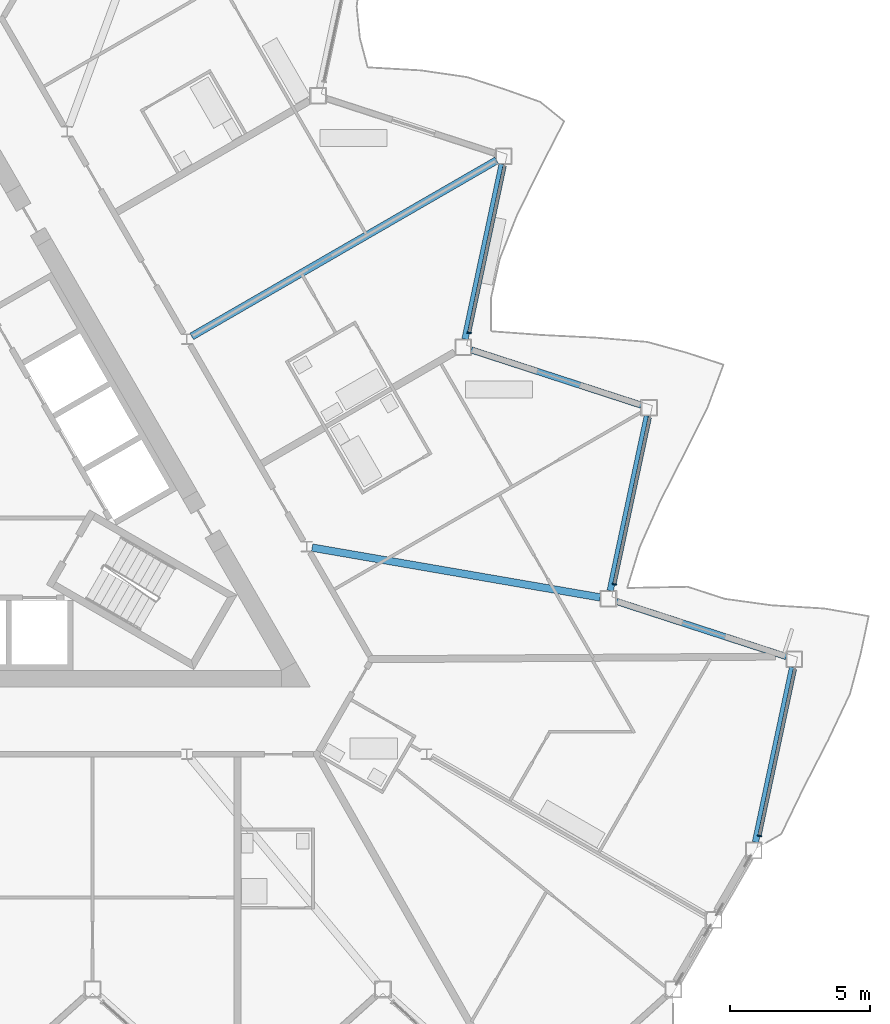
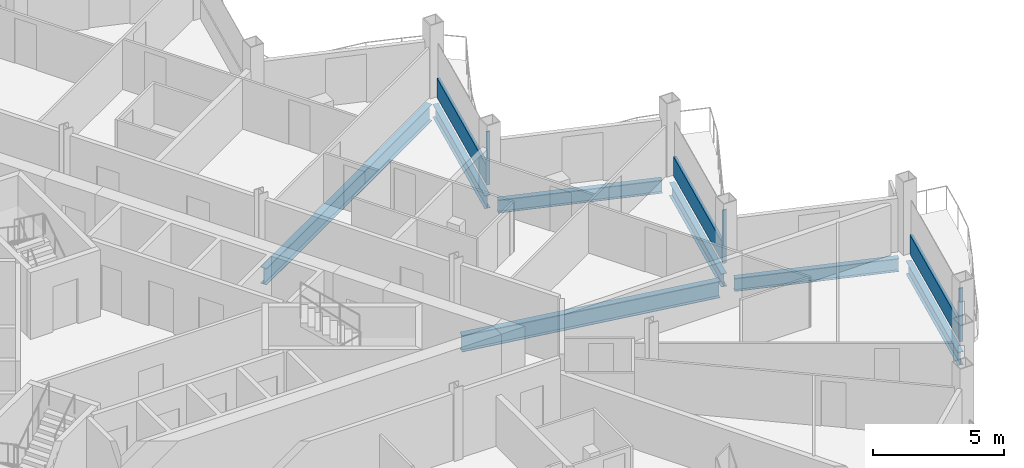
# One storey, part 8 of 26: 7 beams, 6 members, 3 elements without a shape of their own.
"""IFC4 building model written with IfcOpenShell, lengths in metres."""

from ifc_helpers import new_model, si_unit, direction, frame, origin, origin_2d, place, context, subcontext, project, spatial, rectangle, i_section, extrude, material, layer, layer_set, material_profile, profile_set, type_object, element, aggregate, save


model = new_model("IFC4")

# Units and contexts
model_context = context("Model", 3, precision=1e-05, world=origin(), true_north=direction((0.0, 1.0)))
body_context = subcontext(model_context, "Body", "Model", "MODEL_VIEW")
ifc_project = project(units=[si_unit("LENGTHUNIT", "METRE"), si_unit("AREAUNIT", "SQUARE_METRE"), si_unit("VOLUMEUNIT", "CUBIC_METRE"), si_unit("PLANEANGLEUNIT", "RADIAN"), si_unit("MASSUNIT", "GRAM", prefix="KILO")], contexts=[model_context])

# Site, building, storey
site_placement = place(None, origin())
site = spatial("IfcSite", under=ifc_project, at=site_placement, CompositionType="ELEMENT")
building_placement = place(site_placement, origin())
building = spatial("IfcBuilding", under=site, at=building_placement, Name="Cormorant Prow Tower", CompositionType="ELEMENT")
storey_placement = place(building_placement, frame((0.0, 0.0, 339.199951171875)))
storey = spatial("IfcBuildingStorey", under=building, at=storey_placement, Name="L76", CompositionType="ELEMENT", Elevation=339.199951171875)

# Beams
ifc_material_1 = material(Name="Structural steel ASTM A992 Gr 50", Category="steel")
ifc_material_profile_1 = material_profile(ifc_material_1, i_section(OverallWidth=0.267822265625, OverallDepth=0.77001953125, WebThickness=0.015625, FlangeThickness=0.025390625, at=origin_2d()), Name="W30x132")
ifc_profile_set_1 = profile_set([ifc_material_profile_1], Name="Structural steel ASTM A992 Gr 50")
beam_type_1 = type_object("IfcBeamType", Name="Radial floor beam W30x132", PredefinedType="BEAM", material=ifc_profile_set_1)
beam_1_placement = place(storey_placement, frame((13.0625, -2.510009765625, -0.684814453125), z_axis=(0.985379592304, -0.170373293304, 0.0), x_axis=(0.170373293304, 0.985379592304, 0.0)))
element("IfcBeam", 1, at=beam_1_placement, inside=storey, type_object=beam_type_1, Name="Radial floor beam FB3 10 L76", PredefinedType="BEAM", context=body_context, shape_type="SweptSolid", body=[
    extrude(i_section(OverallWidth=0.267822265625, OverallDepth=0.77001953125, WebThickness=0.015625, FlangeThickness=0.025390625, at=origin_2d()), origin(), (0.0, 0.0, 1.0), 10.465087890625),
])
beam_2_placement = place(storey_placement, frame((8.749755859375, 5.051513671875, -0.684814453125), z_axis=(0.866021086443, 0.50000747778, 0.0), x_axis=(-0.50000747778, 0.866021086443, 0.0)))
element("IfcBeam", 2, at=beam_2_placement, inside=storey, type_object=beam_type_1, Name="Radial floor beam FB3 11 L76", PredefinedType="BEAM", context=body_context, shape_type="SweptSolid", body=[
    extrude(i_section(OverallWidth=0.267822265625, OverallDepth=0.77001953125, WebThickness=0.015625, FlangeThickness=0.025390625, at=origin_2d()), origin(), (0.0, 0.0, 1.0), 12.604736328125),
])

# Curtain wall, member
ifc_material_2 = material(Name="Aluminium 6063-T6", Category="aluminium")
ifc_layer = layer(ifc_material_2, 0.159912109375)
ifc_layer_set = layer_set([ifc_layer], Name="Aluminium 6063-T6")
curtain_wall_type = type_object("IfcCurtainWallType", Name="Residential unitised curtain wall 160", PredefinedType="NOTDEFINED", material=ifc_layer_set)
curtain_wall_1_placement = place(storey_placement, origin())
curtain_wall_1 = element("IfcCurtainWall", 3, at=curtain_wall_1_placement, inside=storey, type_object=curtain_wall_type, Name="Residential curtain wall ENE00", PredefinedType="NOTDEFINED")
ifc_material_3 = material(Name="Aluminium 6063-T6", Category="aluminium")
ifc_material_profile_2 = material_profile(ifc_material_3, rectangle(XDim=0.159912109375, YDim=0.050048828125, at=origin_2d()), Name="Residential mullion 50x160")
ifc_profile_set_2 = profile_set([ifc_material_profile_2], Name="Aluminium 6063-T6")
member_type_1 = type_object("IfcMemberType", Name="Residential mullion 50x160", PredefinedType="MULLION", material=ifc_profile_set_2)
member_1_placement = place(storey_placement, frame((29.080810546875, -12.82421875, 0.0), z_axis=(0.0, 0.0, 1.0), x_axis=(-0.978147596612, 0.207911710211, 0.0)))
member_1 = element("IfcMember", 4, at=member_1_placement, type_object=member_type_1, Name="Residential mullion ENE00", PredefinedType="MULLION", context=body_context, shape_type="SweptSolid", body=[
    extrude(rectangle(XDim=0.159912109375, YDim=0.050048828125, at=origin_2d()), origin(), (0.0, 0.0, 1.0), 2.488037109375),
])

curtain_wall_2_placement = place(storey_placement, origin())
curtain_wall_2 = element("IfcCurtainWall", 5, at=curtain_wall_2_placement, inside=storey, type_object=curtain_wall_type, Name="Residential curtain wall ENE02", PredefinedType="NOTDEFINED")
member_2_placement = place(storey_placement, frame((23.88330078125, -3.82177734375, 0.0), z_axis=(0.0, 0.0, 1.0), x_axis=(-0.978147590428, 0.207911739302, 0.0)))
member_2 = element("IfcMember", 6, at=member_2_placement, type_object=member_type_1, Name="Residential mullion ENE02", PredefinedType="MULLION", context=body_context, shape_type="SweptSolid", body=[
    extrude(rectangle(XDim=0.159912109375, YDim=0.050048828125, at=origin_2d()), origin(), (0.0, 0.0, 1.0), 2.488037109375),
])

curtain_wall_3_placement = place(storey_placement, origin())
curtain_wall_3 = element("IfcCurtainWall", 7, at=curtain_wall_3_placement, inside=storey, type_object=curtain_wall_type, Name="Residential curtain wall ENE04", PredefinedType="NOTDEFINED")
member_3_placement = place(storey_placement, frame((18.685791015625, 5.180419921875, 0.0), z_axis=(0.0, 0.0, 1.0), x_axis=(-0.978147590428, 0.207911739302, 0.0)))
member_3 = element("IfcMember", 8, at=member_3_placement, type_object=member_type_1, Name="Residential mullion ENE04", PredefinedType="MULLION", context=body_context, shape_type="SweptSolid", body=[
    extrude(rectangle(XDim=0.159912109375, YDim=0.050048828125, at=origin_2d()), origin(), (0.0, 0.0, 1.0), 2.488037109375),
])

# Member
ifc_material_4 = material(Name="Terracotta", Category="masonry")
ifc_material_profile_3 = material_profile(ifc_material_4, rectangle(XDim=0.1201171875, YDim=0.89990234375, at=origin_2d()), Name="Residential terracotta spandrel rail 120x900")
ifc_profile_set_3 = profile_set([ifc_material_profile_3], Name="Terracotta")
member_type_2 = type_object("IfcMemberType", Name="Residential terracotta spandrel rail 120x900", PredefinedType="USERDEFINED", material=ifc_profile_set_3)
member_4_placement = place(storey_placement, frame((29.0859375, -12.7998046875, 0.449951171875), z_axis=(0.207939971389, 0.978141589086, 0.0), x_axis=(-0.978141589086, 0.207939971389, 0.0)))
member_4 = element("IfcMember", 9, at=member_4_placement, type_object=member_type_2, Name="Residential spandrel rail ENE00", ObjectType="TRANSOM", PredefinedType="USERDEFINED", context=body_context, shape_type="SweptSolid", body=[
    extrude(rectangle(XDim=0.1201171875, YDim=0.89990234375, at=origin_2d()), origin(), (0.0, 0.0, 1.0), 6.075927734375),
])

aggregate(curtain_wall_1, [member_1, member_4])

member_5_placement = place(storey_placement, frame((23.888427734375, -3.79736328125, 0.449951171875), z_axis=(0.207939971389, 0.978141589086, 0.0), x_axis=(-0.978141589086, 0.207939971389, 0.0)))
member_5 = element("IfcMember", 10, at=member_5_placement, type_object=member_type_2, Name="Residential spandrel rail ENE02", ObjectType="TRANSOM", PredefinedType="USERDEFINED", context=body_context, shape_type="SweptSolid", body=[
    extrude(rectangle(XDim=0.1201171875, YDim=0.89990234375, at=origin_2d()), origin(), (0.0, 0.0, 1.0), 6.075927734375),
])

aggregate(curtain_wall_2, [member_2, member_5])

member_6_placement = place(storey_placement, frame((18.69091796875, 5.205078125, 0.449951171875), z_axis=(0.207939971389, 0.978141589086, 0.0), x_axis=(-0.978141589086, 0.207939971389, 0.0)))
member_6 = element("IfcMember", 11, at=member_6_placement, type_object=member_type_2, Name="Residential spandrel rail ENE04", ObjectType="TRANSOM", PredefinedType="USERDEFINED", context=body_context, shape_type="SweptSolid", body=[
    extrude(rectangle(XDim=0.1201171875, YDim=0.89990234375, at=origin_2d()), origin(), (0.0, 0.0, 1.0), 6.075927734375),
])

aggregate(curtain_wall_3, [member_3, member_6])

# Beams
ifc_material_5 = material(Name="Structural steel ASTM A992 Gr 50", Category="steel")
ifc_material_profile_4 = material_profile(ifc_material_5, i_section(OverallWidth=0.22900390625, OverallDepth=0.612060546875, WebThickness=0.011962890625, FlangeThickness=0.01953125, at=origin_2d()), Name="W24x84")
ifc_profile_set_4 = profile_set([ifc_material_profile_4], Name="Structural steel ASTM A992 Gr 50")
beam_type_2 = type_object("IfcBeamType", Name="Spandrel beam W24x84", PredefinedType="SPANDREL", material=ifc_profile_set_4)
beam_3_placement = place(storey_placement, frame((28.931640625, -13.055908203125, -0.60595703125), z_axis=(0.20791262393, 0.978147402394, 0.0), x_axis=(-0.978147402394, 0.20791262393, 0.0)))
element("IfcBeam", 12, at=beam_3_placement, inside=storey, type_object=beam_type_2, Name="Spandrel beam SB3 ENE00-ENE01 L76", PredefinedType="SPANDREL", context=body_context, shape_type="SweptSolid", body=[
    extrude(i_section(OverallWidth=0.22900390625, OverallDepth=0.612060546875, WebThickness=0.011962890625, FlangeThickness=0.01953125, at=origin_2d()), origin(), (0.0, 0.0, 1.0), 6.396240234375),
])
beam_4_placement = place(storey_placement, frame((30.038330078125, -6.413330078125, -0.60595703125), z_axis=(-0.951064359156, 0.308992855489, 0.0), x_axis=(-0.308992855489, -0.951064359156, 0.0)))
element("IfcBeam", 13, at=beam_4_placement, inside=storey, type_object=beam_type_2, Name="Spandrel beam SB3 ENE01-ENE02 L76", PredefinedType="SPANDREL", context=body_context, shape_type="SweptSolid", body=[
    extrude(i_section(OverallWidth=0.22900390625, OverallDepth=0.612060546875, WebThickness=0.011962890625, FlangeThickness=0.01953125, at=origin_2d()), origin(), (0.0, 0.0, 1.0), 6.39599609375),
])
beam_5_placement = place(storey_placement, frame((23.732421875, -4.05078125, -0.60595703125), z_axis=(0.20791262393, 0.978147402394, 0.0), x_axis=(-0.978147402394, 0.20791262393, 0.0)))
element("IfcBeam", 14, at=beam_5_placement, inside=storey, type_object=beam_type_2, Name="Spandrel beam SB3 ENE02-ENE03 L76", PredefinedType="SPANDREL", context=body_context, shape_type="SweptSolid", body=[
    extrude(i_section(OverallWidth=0.22900390625, OverallDepth=0.612060546875, WebThickness=0.011962890625, FlangeThickness=0.01953125, at=origin_2d()), origin(), (0.0, 0.0, 1.0), 6.396240234375),
])
beam_6_placement = place(storey_placement, frame((24.83935546875, 2.591796875, -0.60595703125), z_axis=(-0.951064359156, 0.308992855489, 0.0), x_axis=(-0.308992855489, -0.951064359156, 0.0)))
element("IfcBeam", 15, at=beam_6_placement, inside=storey, type_object=beam_type_2, Name="Spandrel beam SB3 ENE03-ENE04 L76", PredefinedType="SPANDREL", context=body_context, shape_type="SweptSolid", body=[
    extrude(i_section(OverallWidth=0.22900390625, OverallDepth=0.612060546875, WebThickness=0.011962890625, FlangeThickness=0.01953125, at=origin_2d()), origin(), (0.0, 0.0, 1.0), 6.39599609375),
])
beam_7_placement = place(storey_placement, frame((18.533447265625, 4.954345703125, -0.60595703125), z_axis=(0.20791262393, 0.978147402394, 0.0), x_axis=(-0.978147402394, 0.20791262393, 0.0)))
element("IfcBeam", 16, at=beam_7_placement, inside=storey, type_object=beam_type_2, Name="Spandrel beam SB3 ENE04-ENE05 L76", PredefinedType="SPANDREL", context=body_context, shape_type="SweptSolid", body=[
    extrude(i_section(OverallWidth=0.22900390625, OverallDepth=0.612060546875, WebThickness=0.011962890625, FlangeThickness=0.01953125, at=origin_2d()), origin(), (0.0, 0.0, 1.0), 6.396240234375),
])

save(model, "model.ifc")
